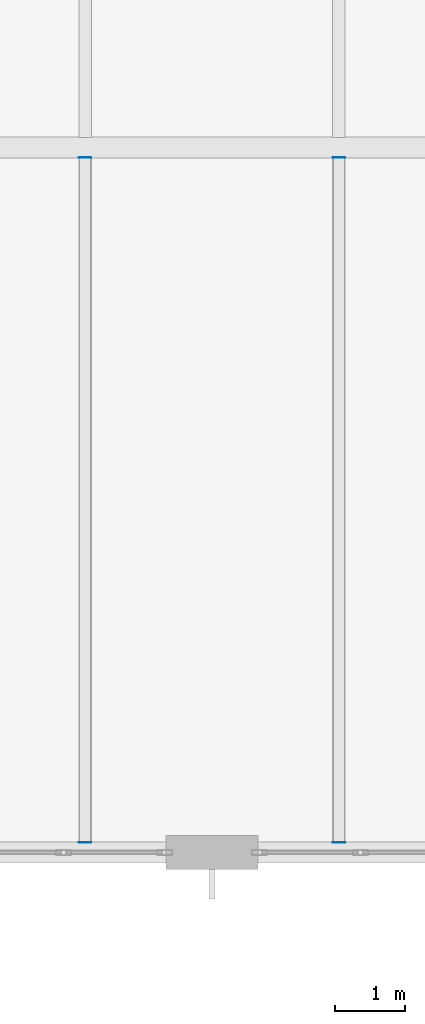
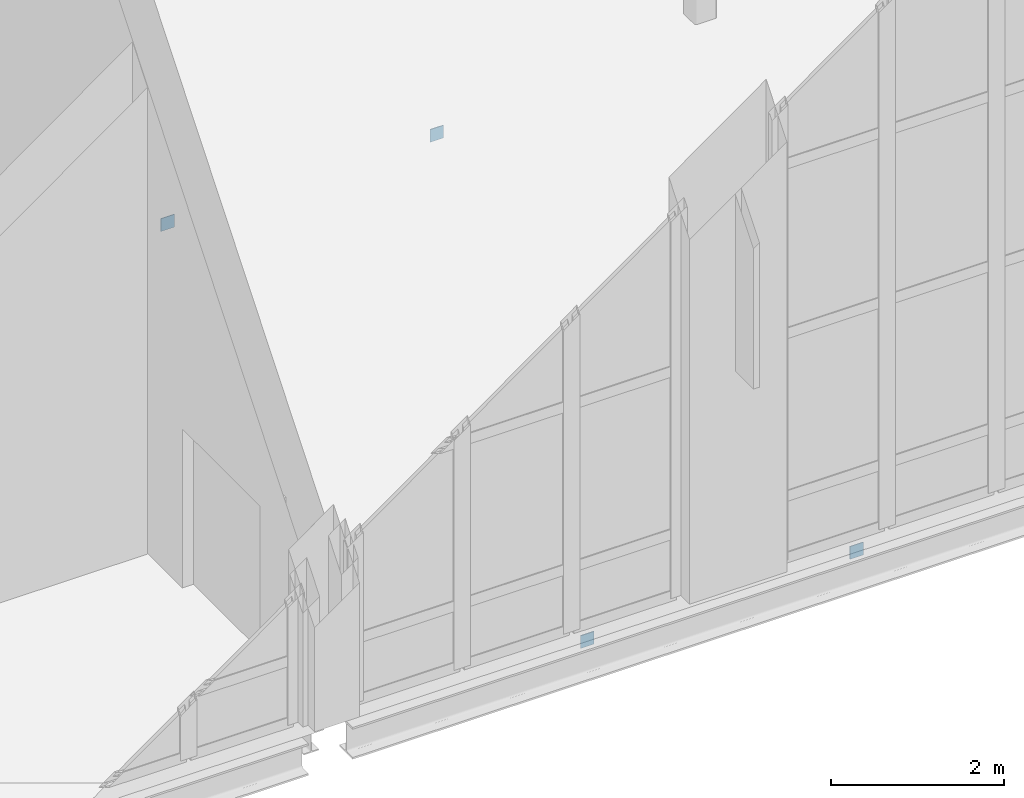
# One storey, part 75 of 100: 4 plates.
"""IFC4 building model written with IfcOpenShell, lengths in metres."""

from ifc_helpers import new_model, si_unit, direction, frame, origin, origin_2d, place, context, subcontext, project, spatial, rectangle, extrude, material, layer, layer_set, type_object, element, save


model = new_model("IFC4")

# Units and contexts
model_context = context("Model", 3, precision=1e-05, world=origin(), true_north=direction((0.0, 1.0)))
body_context = subcontext(model_context, "Body", "Model", "MODEL_VIEW")
ifc_project = project(units=[si_unit("LENGTHUNIT", "METRE"), si_unit("AREAUNIT", "SQUARE_METRE"), si_unit("VOLUMEUNIT", "CUBIC_METRE"), si_unit("PLANEANGLEUNIT", "RADIAN"), si_unit("MASSUNIT", "GRAM", prefix="KILO")], contexts=[model_context])

# Site, building, storey
site_placement = place(None, origin())
site = spatial("IfcSite", under=ifc_project, at=site_placement, CompositionType="ELEMENT")
building_placement = place(site_placement, origin())
building = spatial("IfcBuilding", under=site, at=building_placement, Name="Tasgan Crest Museum", CompositionType="ELEMENT")
storey_placement = place(building_placement, frame((0.0, 0.0, 14.39990234375)))
storey = spatial("IfcBuildingStorey", under=building, at=storey_placement, Name="L03", CompositionType="ELEMENT", Elevation=14.39990234375)

# Plates
ifc_material = material(Name="Steel S355K2", Category="steel")
ifc_layer = layer(ifc_material, 0.179931640625, Name="PL-CAP-10x180x180")
ifc_layer_set = layer_set([ifc_layer], Name="Steel S355K2")
plate_type = type_object("IfcPlateType", Name="PL-CAP-10x180x180", PredefinedType="USERDEFINED", material=ifc_layer_set)
for number, where, z_axis, x_axis, name in (
    (1, (57.60009765625, 40.139892578125, -0.419921875), (0.0, 0.0, 1.0), (0.0, 1.0, 0.0), "End plate Secondary joist L03 X=57.6 Y=40.0-50.0 end A"),
    (2, (57.60009765625, 49.860107421875, -0.419921875), (0.0, 0.0, 1.0), (0.0, 1.0, 0.0), "End plate Secondary joist L03 X=57.6 Y=40.0-50.0 end B"),
    (3, (61.199951171875, 40.139892578125, -0.419921875), (0.0, 0.0, 1.0), (0.0, 1.0, 0.0), "End plate Secondary joist L03 X=61.2 Y=40.0-50.0 end A"),
    (4, (61.199951171875, 49.860107421875, -0.419921875), (0.0, 0.0, 1.0), (0.0, 1.0, 0.0), "End plate Secondary joist L03 X=61.2 Y=40.0-50.0 end B"),
):
    element("IfcPlate", number, at=place(storey_placement, frame(where, z_axis=z_axis, x_axis=x_axis)), inside=storey, type_object=plate_type, Name=name, ObjectType="END PLATE", PredefinedType="USERDEFINED", context=body_context, shape_type="SweptSolid", body=[
        extrude(rectangle(XDim=0.010009765625, YDim=0.179931640625, at=origin_2d()), origin(), (0.0, 0.0, 1.0), 0.179931640625),
    ])

save(model, "model.ifc")
